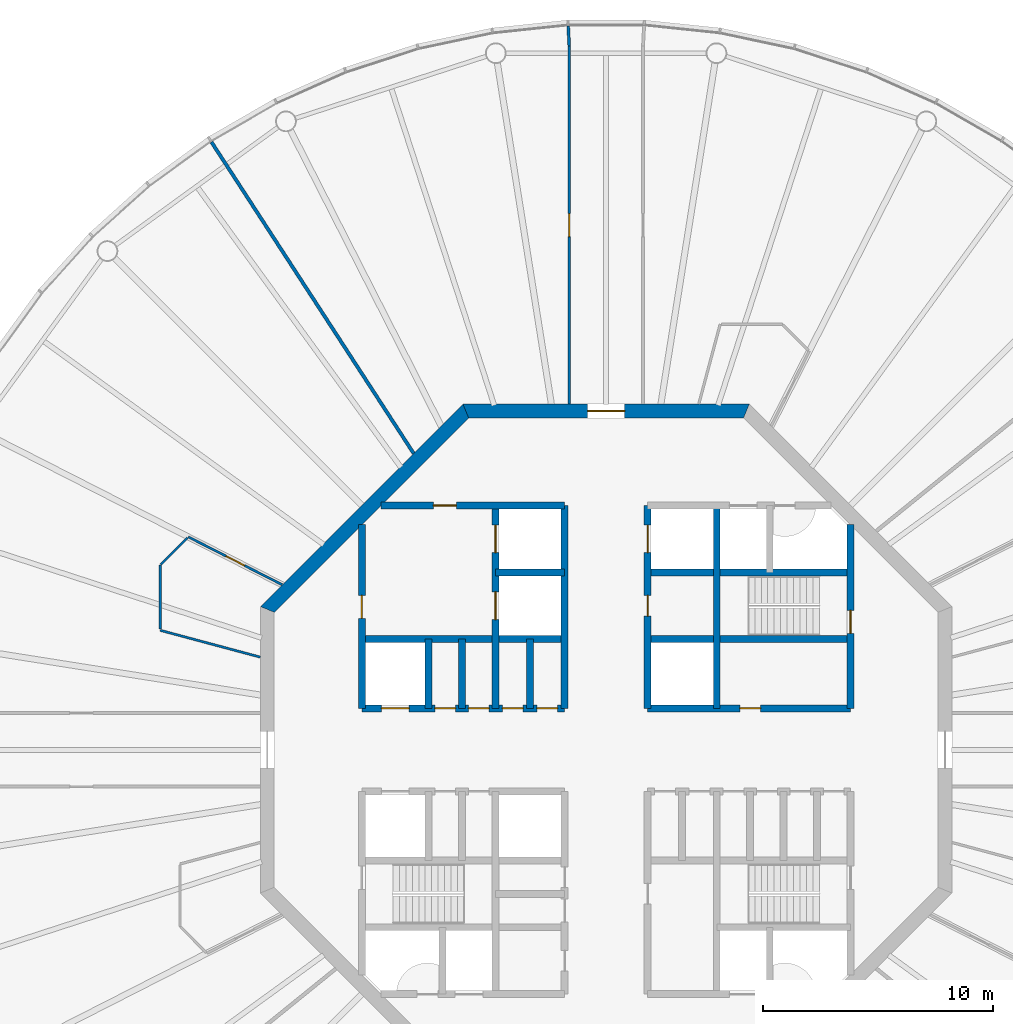
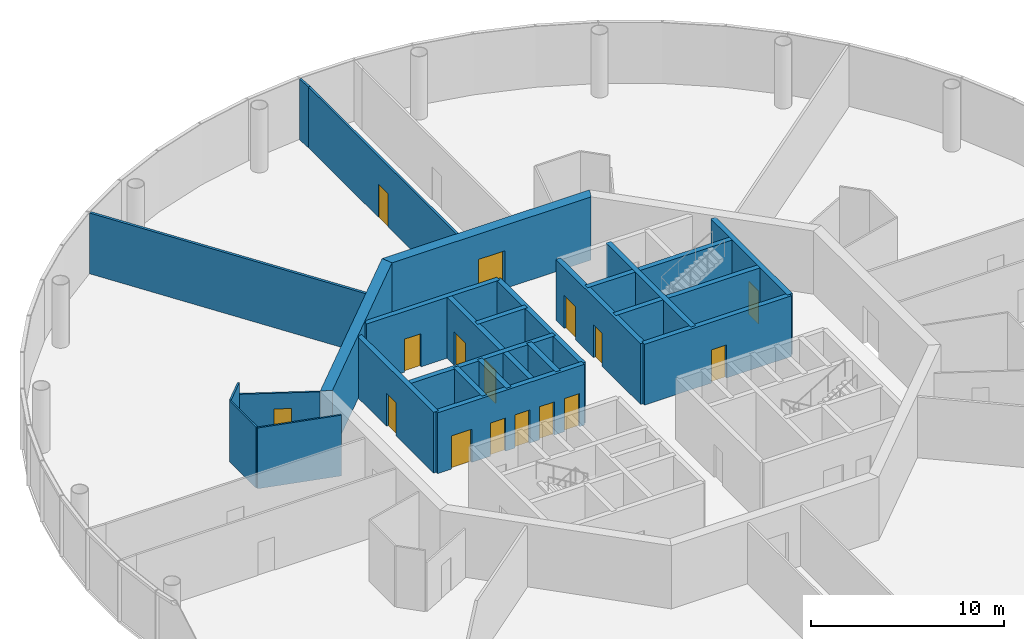
# One storey, part 5 of 13: 25 walls, 16 doors, 16 openings.
"""IFC4 building model written with IfcOpenShell, lengths in metres."""

from ifc_helpers import new_model, si_unit, direction, frame, frame_2d, origin, place, context, subcontext, project, spatial, polyline, rectangle, outline, extrude, material, layer, layer_set, type_object, element, fill, save


model = new_model("IFC4")

# Units and contexts
model_context = context("Model", 3, precision=1e-05, world=origin(), true_north=direction((0.0, 1.0)))
body_context = subcontext(model_context, "Body", "Model", "MODEL_VIEW")
ifc_project = project(units=[si_unit("LENGTHUNIT", "METRE"), si_unit("AREAUNIT", "SQUARE_METRE"), si_unit("VOLUMEUNIT", "CUBIC_METRE"), si_unit("PLANEANGLEUNIT", "RADIAN"), si_unit("MASSUNIT", "GRAM", prefix="KILO")], contexts=[model_context])

# Site, building, storey
site_placement = place(None, origin())
site = spatial("IfcSite", under=ifc_project, at=site_placement, CompositionType="ELEMENT")
building_placement = place(site_placement, origin())
building = spatial("IfcBuilding", under=site, at=building_placement, Name="Entoto Ring Tower", CompositionType="ELEMENT")
storey_placement = place(building_placement, frame((0.0, 0.0, 340.0)))
storey = spatial("IfcBuildingStorey", under=building, at=storey_placement, Name="L78", CompositionType="ELEMENT", Elevation=340.0)

# Wall, opening, door
ifc_material_1 = material(Name="Concrete C40/50", Category="concrete")
ifc_layer_1 = layer(ifc_material_1, 0.300048828125)
ifc_layer_set_1 = layer_set([ifc_layer_1], Name="Concrete C40/50")
wall_type_1 = type_object("IfcWallType", Name="Core enclosure wall 300 mm reinforced concrete", PredefinedType="SOLIDWALL", material=ifc_layer_set_1)
wall_1_placement = place(storey_placement, frame((100.60009765625, 81.800048828125, 0.0), z_axis=(0.0, 0.0, 1.0), x_axis=(0.0, 1.0, 0.0)))
wall_1 = element("IfcWall", 1, at=wall_1_placement, inside=storey, type_object=wall_type_1, Name="wall-L78-002", PredefinedType="SOLIDWALL", context=body_context, shape_type="SweptSolid", body=[
    extrude(rectangle(XDim=7.964599609375, YDim=0.300048828125, at=frame_2d((3.982421875, 0.0))), origin(), (0.0, 0.0, 1.0), 3.85009765625),
])
opening_1_placement = place(wall_1_placement, frame((3.25, 0.0, 0.0)))
opening_1 = element("IfcOpeningElement", 2, at=opening_1_placement, cuts=wall_1, Name="Opening K-29", PredefinedType="OPENING", context=body_context, shape_type="SweptSolid", body=[
    extrude(rectangle(XDim=1.0, YDim=2.10009765625, at=frame_2d((0.5, 1.050048828125))), frame((0.0, 0.16015625, 0.0), z_axis=(0.0, -1.0, 0.0), x_axis=(1.0, 0.0, 0.0)), (0.0, 0.0, 1.0), 0.320068359375),
])
ifc_material_2 = material(Name="Steel door leaf, fire rated", Category="steel")
ifc_layer_2 = layer(ifc_material_2, 0.050048828125)
ifc_layer_set_2 = layer_set([ifc_layer_2], Name="Steel door leaf, fire rated")
door_type_1 = type_object("IfcDoorType", Name="Fire door FD60 1000 x 2100 single leaf", OperationType="NOTDEFINED", PredefinedType="DOOR", material=ifc_layer_set_2)
door_1_placement = place(opening_1_placement, origin())
door_1 = element("IfcDoor", 3, at=door_1_placement, inside=storey, type_object=door_type_1, Name="Door K-29", OperationType="SINGLE_SWING_LEFT", OverallHeight=2.10009765625, OverallWidth=1.0, PredefinedType="DOOR", context=body_context, shape_type="SweptSolid", body=[
    extrude(rectangle(XDim=1.0, YDim=2.10009765625, at=frame_2d((0.5, 1.050048828125))), frame((0.0, 0.02490234375, 0.0), z_axis=(0.0, -1.0, 0.0), x_axis=(1.0, 0.0, 0.0)), (0.0, 0.0, 1.0), 0.050048828125),
])
fill(opening_1, door_1)

# Wall
wall_2_placement = place(storey_placement, frame((94.800048828125, 81.800048828125, 0.0), z_axis=(0.0, 0.0, 1.0), x_axis=(0.0, 1.0, 0.0)))
element("IfcWall", 4, at=wall_2_placement, inside=storey, type_object=wall_type_1, Name="wall-L78-009", PredefinedType="SOLIDWALL", context=body_context, shape_type="SweptSolid", body=[
    extrude(rectangle(XDim=8.800048828125, YDim=0.300048828125, at=frame_2d((4.39990234375, 0.0))), origin(), (0.0, 0.0, 1.0), 3.85009765625),
])

# Wall, openings, doors
wall_3_placement = place(storey_placement, frame((91.800048828125, 81.800048828125, 0.0), z_axis=(0.0, 0.0, 1.0), x_axis=(0.0, 1.0, 0.0)))
wall_3 = element("IfcWall", 5, at=wall_3_placement, inside=storey, type_object=wall_type_1, Name="wall-L78-012", PredefinedType="SOLIDWALL", context=body_context, shape_type="SweptSolid", body=[
    extrude(rectangle(XDim=8.800048828125, YDim=0.300048828125, at=frame_2d((4.39990234375, 0.0))), origin(), (0.0, 0.0, 1.0), 3.85009765625),
])
opening_2_placement = place(wall_3_placement, frame((6.75, 0.0, 0.0)))
opening_2 = element("IfcOpeningElement", 6, at=opening_2_placement, cuts=wall_3, Name="Opening LD", PredefinedType="OPENING", context=body_context, shape_type="SweptSolid", body=[
    extrude(rectangle(XDim=1.199951171875, YDim=2.10009765625, at=frame_2d((0.60009765625, 1.050048828125))), frame((0.0, 0.16015625, 0.0), z_axis=(0.0, -1.0, 0.0), x_axis=(1.0, 0.0, 0.0)), (0.0, 0.0, 1.0), 0.320068359375),
])
opening_3_placement = place(wall_3_placement, frame((4.0, 0.0, 0.0)))
opening_3 = element("IfcOpeningElement", 7, at=opening_3_placement, cuts=wall_3, Name="Opening K-63", PredefinedType="OPENING", context=body_context, shape_type="SweptSolid", body=[
    extrude(rectangle(XDim=0.89990234375, YDim=2.10009765625, at=frame_2d((0.449951171875, 1.050048828125))), frame((0.0, 0.16015625, 0.0), z_axis=(0.0, -1.0, 0.0), x_axis=(1.0, 0.0, 0.0)), (0.0, 0.0, 1.0), 0.320068359375),
])
ifc_material_3 = material(Name="Steel door leaf, fire rated", Category="steel")
ifc_layer_3 = layer(ifc_material_3, 0.050048828125)
ifc_layer_set_3 = layer_set([ifc_layer_3], Name="Steel door leaf, fire rated")
door_type_2 = type_object("IfcDoorType", Name="Core door 900 x 2100 single leaf", OperationType="NOTDEFINED", PredefinedType="DOOR", material=ifc_layer_set_3)
door_2_placement = place(opening_3_placement, frame((0.89990234375, 0.0, 0.0), z_axis=(0.0, 0.0, 1.0), x_axis=(-1.0, 0.0, 0.0)))
door_2 = element("IfcDoor", 8, at=door_2_placement, inside=storey, type_object=door_type_2, Name="Door K-63", OperationType="SINGLE_SWING_RIGHT", OverallHeight=2.10009765625, OverallWidth=0.89990234375, PredefinedType="DOOR", context=body_context, shape_type="SweptSolid", body=[
    extrude(rectangle(XDim=0.89990234375, YDim=2.10009765625, at=frame_2d((0.449951171875, 1.050048828125))), frame((0.0, 0.02490234375, 0.0), z_axis=(0.0, -1.0, 0.0), x_axis=(1.0, 0.0, 0.0)), (0.0, 0.0, 1.0), 0.050048828125),
])
fill(opening_3, door_2)
ifc_material_4 = material(Name="Steel and glass door leaf", Category="steel")
ifc_layer_4 = layer(ifc_material_4, 0.050048828125)
ifc_layer_set_4 = layer_set([ifc_layer_4], Name="Steel and glass door leaf")
door_type_3 = type_object("IfcDoorType", Name="Landing door 1200 x 2100 sliding", OperationType="DOUBLE_DOOR_SLIDING", PredefinedType="DOOR", material=ifc_layer_set_4)
door_3_placement = place(opening_2_placement, origin())
door_3 = element("IfcDoor", 9, at=door_3_placement, inside=storey, type_object=door_type_3, Name="Landing door SH3", OperationType="SLIDING_TO_RIGHT", OverallHeight=2.10009765625, OverallWidth=1.199951171875, PredefinedType="DOOR", context=body_context, shape_type="SweptSolid", body=[
    extrude(rectangle(XDim=1.199951171875, YDim=2.10009765625, at=frame_2d((0.60009765625, 1.050048828125))), frame((0.0, 0.02490234375, 0.0), z_axis=(0.0, -1.0, 0.0), x_axis=(1.0, 0.0, 0.0)), (0.0, 0.0, 1.0), 0.050048828125),
])
fill(opening_2, door_3)

# Walls
wall_4_placement = place(storey_placement, frame((88.199951171875, 81.800048828125, 0.0), z_axis=(0.0, 0.0, 1.0), x_axis=(0.0, 1.0, 0.0)))
element("IfcWall", 10, at=wall_4_placement, inside=storey, type_object=wall_type_1, Name="wall-L78-014", PredefinedType="SOLIDWALL", context=body_context, shape_type="SweptSolid", body=[
    extrude(rectangle(XDim=8.800048828125, YDim=0.300048828125, at=frame_2d((4.39990234375, 0.0))), origin(), (0.0, 0.0, 1.0), 3.85009765625),
])
wall_5_placement = place(storey_placement, frame((86.699951171875, 81.800048828125, 0.0), z_axis=(0.0, 0.0, 1.0), x_axis=(0.0, 1.0, 0.0)))
element("IfcWall", 11, at=wall_5_placement, inside=storey, type_object=wall_type_1, Name="wall-L78-015", PredefinedType="SOLIDWALL", context=body_context, shape_type="SweptSolid", body=[
    extrude(rectangle(XDim=3.0, YDim=0.300048828125, at=frame_2d((1.5, 0.0))), origin(), (0.0, 0.0, 1.0), 3.85009765625),
])

# Wall, openings, doors
wall_6_placement = place(storey_placement, frame((85.199951171875, 81.800048828125, 0.0), z_axis=(0.0, 0.0, 1.0), x_axis=(0.0, 1.0, 0.0)))
wall_6 = element("IfcWall", 12, at=wall_6_placement, inside=storey, type_object=wall_type_1, Name="wall-L78-017", PredefinedType="SOLIDWALL", context=body_context, shape_type="SweptSolid", body=[
    extrude(rectangle(XDim=8.800048828125, YDim=0.300048828125, at=frame_2d((4.39990234375, 0.0))), origin(), (0.0, 0.0, 1.0), 3.85009765625),
])
opening_4_placement = place(wall_6_placement, frame((3.85009765625, 0.0, 0.0)))
opening_4 = element("IfcOpeningElement", 13, at=opening_4_placement, cuts=wall_6, Name="Opening LD", PredefinedType="OPENING", context=body_context, shape_type="SweptSolid", body=[
    extrude(rectangle(XDim=1.199951171875, YDim=2.10009765625, at=frame_2d((0.60009765625, 1.050048828125))), frame((0.0, 0.16015625, 0.0), z_axis=(0.0, -1.0, 0.0), x_axis=(1.0, 0.0, 0.0)), (0.0, 0.0, 1.0), 0.320068359375),
])
opening_5_placement = place(wall_6_placement, frame((6.75, 0.0, 0.0)))
opening_5 = element("IfcOpeningElement", 14, at=opening_5_placement, cuts=wall_6, Name="Opening LD", PredefinedType="OPENING", context=body_context, shape_type="SweptSolid", body=[
    extrude(rectangle(XDim=1.199951171875, YDim=2.10009765625, at=frame_2d((0.60009765625, 1.050048828125))), frame((0.0, 0.16015625, 0.0), z_axis=(0.0, -1.0, 0.0), x_axis=(1.0, 0.0, 0.0)), (0.0, 0.0, 1.0), 0.320068359375),
])
door_4_placement = place(opening_4_placement, origin())
door_4 = element("IfcDoor", 15, at=door_4_placement, inside=storey, type_object=door_type_3, Name="Landing door FF1", OperationType="SLIDING_TO_RIGHT", OverallHeight=2.10009765625, OverallWidth=1.199951171875, PredefinedType="DOOR", context=body_context, shape_type="SweptSolid", body=[
    extrude(rectangle(XDim=1.199951171875, YDim=2.10009765625, at=frame_2d((0.60009765625, 1.050048828125))), frame((0.0, 0.02490234375, 0.0), z_axis=(0.0, -1.0, 0.0), x_axis=(1.0, 0.0, 0.0)), (0.0, 0.0, 1.0), 0.050048828125),
])
fill(opening_4, door_4)
door_5_placement = place(opening_5_placement, origin())
door_5 = element("IfcDoor", 16, at=door_5_placement, inside=storey, type_object=door_type_3, Name="Landing door FF2", OperationType="SLIDING_TO_RIGHT", OverallHeight=2.10009765625, OverallWidth=1.199951171875, PredefinedType="DOOR", context=body_context, shape_type="SweptSolid", body=[
    extrude(rectangle(XDim=1.199951171875, YDim=2.10009765625, at=frame_2d((0.60009765625, 1.050048828125))), frame((0.0, 0.02490234375, 0.0), z_axis=(0.0, -1.0, 0.0), x_axis=(1.0, 0.0, 0.0)), (0.0, 0.0, 1.0), 0.050048828125),
])
fill(opening_5, door_5)

# Walls
for number, where, z_axis, x_axis, name in (
    (17, (83.75, 81.800048828125, 0.0), (0.0, 0.0, 1.0), (0.0, 1.0, 0.0), "wall-L78-019"),
    (18, (82.300048828125, 81.800048828125, 0.0), (0.0, 0.0, 1.0), (0.0, 1.0, 0.0), "wall-L78-022"),
):
    element("IfcWall", number, at=place(storey_placement, frame(where, z_axis=z_axis, x_axis=x_axis)), inside=storey, type_object=wall_type_1, Name=name, PredefinedType="SOLIDWALL", context=body_context, shape_type="SweptSolid", body=[
        extrude(rectangle(XDim=3.0, YDim=0.300048828125, at=frame_2d((1.5, 0.0))), origin(), (0.0, 0.0, 1.0), 3.85009765625),
    ])

# Wall, opening, door
wall_7_placement = place(storey_placement, frame((79.39990234375, 81.800048828125, 0.0), z_axis=(0.0, 0.0, 1.0), x_axis=(0.0, 1.0, 0.0)))
wall_7 = element("IfcWall", 19, at=wall_7_placement, inside=storey, type_object=wall_type_1, Name="wall-L78-024", PredefinedType="SOLIDWALL", context=body_context, shape_type="SweptSolid", body=[
    extrude(rectangle(XDim=7.964599609375, YDim=0.300048828125, at=frame_2d((3.982421875, 0.0))), origin(), (0.0, 0.0, 1.0), 3.85009765625),
])
opening_6_placement = place(wall_7_placement, frame((3.89990234375, 0.0, 0.0)))
opening_6 = element("IfcOpeningElement", 20, at=opening_6_placement, cuts=wall_7, Name="Opening K-35", PredefinedType="OPENING", context=body_context, shape_type="SweptSolid", body=[
    extrude(rectangle(XDim=1.0, YDim=2.10009765625, at=frame_2d((0.5, 1.050048828125))), frame((0.0, 0.16015625, 0.0), z_axis=(0.0, -1.0, 0.0), x_axis=(1.0, 0.0, 0.0)), (0.0, 0.0, 1.0), 0.320068359375),
])
door_6_placement = place(opening_6_placement, frame((1.0, 0.0, 0.0), z_axis=(0.0, 0.0, 1.0), x_axis=(-1.0, 0.0, 0.0)))
door_6 = element("IfcDoor", 21, at=door_6_placement, inside=storey, type_object=door_type_1, Name="Door K-35", OperationType="SINGLE_SWING_RIGHT", OverallHeight=2.10009765625, OverallWidth=1.0, PredefinedType="DOOR", context=body_context, shape_type="SweptSolid", body=[
    extrude(rectangle(XDim=1.0, YDim=2.10009765625, at=frame_2d((0.5, 1.050048828125))), frame((0.0, 0.02490234375, 0.0), z_axis=(0.0, -1.0, 0.0), x_axis=(1.0, 0.0, 0.0)), (0.0, 0.0, 1.0), 0.050048828125),
])
fill(opening_6, door_6)

# Wall, openings, doors
wall_8_placement = place(storey_placement, frame((79.39990234375, 81.800048828125, 0.0), z_axis=(0.0, 0.0, 1.0), x_axis=(1.0, 0.0, 0.0)))
wall_8 = element("IfcWall", 22, at=wall_8_placement, inside=storey, type_object=wall_type_1, Name="wall-L78-034", PredefinedType="SOLIDWALL", context=body_context, shape_type="SweptSolid", body=[
    extrude(rectangle(XDim=8.800048828125, YDim=0.300048828125, at=frame_2d((4.39990234375, 0.0))), origin(), (0.0, 0.0, 1.0), 3.85009765625),
])
opening_7_placement = place(wall_8_placement, frame((0.85009765625, 0.0, 0.0)))
opening_7 = element("IfcOpeningElement", 23, at=opening_7_placement, cuts=wall_8, Name="Opening LD", PredefinedType="OPENING", context=body_context, shape_type="SweptSolid", body=[
    extrude(rectangle(XDim=1.199951171875, YDim=2.10009765625, at=frame_2d((0.60009765625, 1.050048828125))), frame((0.0, 0.16015625, 0.0), z_axis=(0.0, -1.0, 0.0), x_axis=(1.0, 0.0, 0.0)), (0.0, 0.0, 1.0), 0.320068359375),
])
opening_8_placement = place(wall_8_placement, frame((3.175048828125, 0.0, 0.0)))
opening_8 = element("IfcOpeningElement", 24, at=opening_8_placement, cuts=wall_8, Name="Opening K-12", PredefinedType="OPENING", context=body_context, shape_type="SweptSolid", body=[
    extrude(rectangle(XDim=0.89990234375, YDim=2.10009765625, at=frame_2d((0.449951171875, 1.050048828125))), frame((0.0, 0.16015625, 0.0), z_axis=(0.0, -1.0, 0.0), x_axis=(1.0, 0.0, 0.0)), (0.0, 0.0, 1.0), 0.320068359375),
])
opening_9_placement = place(wall_8_placement, frame((4.625, 0.0, 0.0)))
opening_9 = element("IfcOpeningElement", 25, at=opening_9_placement, cuts=wall_8, Name="Opening K-46", PredefinedType="OPENING", context=body_context, shape_type="SweptSolid", body=[
    extrude(rectangle(XDim=0.89990234375, YDim=2.10009765625, at=frame_2d((0.449951171875, 1.050048828125))), frame((0.0, 0.16015625, 0.0), z_axis=(0.0, -1.0, 0.0), x_axis=(1.0, 0.0, 0.0)), (0.0, 0.0, 1.0), 0.320068359375),
])
opening_10_placement = place(wall_8_placement, frame((6.10009765625, 0.0, 0.0)))
opening_10 = element("IfcOpeningElement", 26, at=opening_10_placement, cuts=wall_8, Name="Opening K-25", PredefinedType="OPENING", context=body_context, shape_type="SweptSolid", body=[
    extrude(rectangle(XDim=0.89990234375, YDim=2.10009765625, at=frame_2d((0.449951171875, 1.050048828125))), frame((0.0, 0.16015625, 0.0), z_axis=(0.0, -1.0, 0.0), x_axis=(1.0, 0.0, 0.0)), (0.0, 0.0, 1.0), 0.320068359375),
])
opening_11_placement = place(wall_8_placement, frame((7.60009765625, 0.0, 0.0)))
opening_11 = element("IfcOpeningElement", 27, at=opening_11_placement, cuts=wall_8, Name="Opening K-77", PredefinedType="OPENING", context=body_context, shape_type="SweptSolid", body=[
    extrude(rectangle(XDim=0.89990234375, YDim=2.10009765625, at=frame_2d((0.449951171875, 1.050048828125))), frame((0.0, 0.16015625, 0.0), z_axis=(0.0, -1.0, 0.0), x_axis=(1.0, 0.0, 0.0)), (0.0, 0.0, 1.0), 0.320068359375),
])
door_7_placement = place(opening_8_placement, origin())
door_7 = element("IfcDoor", 28, at=door_7_placement, inside=storey, type_object=door_type_2, Name="Door K-12", OperationType="SINGLE_SWING_RIGHT", OverallHeight=2.10009765625, OverallWidth=0.89990234375, PredefinedType="DOOR", context=body_context, shape_type="SweptSolid", body=[
    extrude(rectangle(XDim=0.89990234375, YDim=2.10009765625, at=frame_2d((0.449951171875, 1.050048828125))), frame((0.0, 0.02490234375, 0.0), z_axis=(0.0, -1.0, 0.0), x_axis=(1.0, 0.0, 0.0)), (0.0, 0.0, 1.0), 0.050048828125),
])
fill(opening_8, door_7)
door_8_placement = place(opening_9_placement, origin())
door_8 = element("IfcDoor", 29, at=door_8_placement, inside=storey, type_object=door_type_2, Name="Door K-46", OperationType="SINGLE_SWING_RIGHT", OverallHeight=2.10009765625, OverallWidth=0.89990234375, PredefinedType="DOOR", context=body_context, shape_type="SweptSolid", body=[
    extrude(rectangle(XDim=0.89990234375, YDim=2.10009765625, at=frame_2d((0.449951171875, 1.050048828125))), frame((0.0, 0.02490234375, 0.0), z_axis=(0.0, -1.0, 0.0), x_axis=(1.0, 0.0, 0.0)), (0.0, 0.0, 1.0), 0.050048828125),
])
fill(opening_9, door_8)
door_9_placement = place(opening_10_placement, origin())
door_9 = element("IfcDoor", 30, at=door_9_placement, inside=storey, type_object=door_type_2, Name="Door K-25", OperationType="SINGLE_SWING_LEFT", OverallHeight=2.10009765625, OverallWidth=0.89990234375, PredefinedType="DOOR", context=body_context, shape_type="SweptSolid", body=[
    extrude(rectangle(XDim=0.89990234375, YDim=2.10009765625, at=frame_2d((0.449951171875, 1.050048828125))), frame((0.0, 0.02490234375, 0.0), z_axis=(0.0, -1.0, 0.0), x_axis=(1.0, 0.0, 0.0)), (0.0, 0.0, 1.0), 0.050048828125),
])
fill(opening_10, door_9)
door_10_placement = place(opening_11_placement, origin())
door_10 = element("IfcDoor", 31, at=door_10_placement, inside=storey, type_object=door_type_2, Name="Door K-77", OperationType="SINGLE_SWING_LEFT", OverallHeight=2.10009765625, OverallWidth=0.89990234375, PredefinedType="DOOR", context=body_context, shape_type="SweptSolid", body=[
    extrude(rectangle(XDim=0.89990234375, YDim=2.10009765625, at=frame_2d((0.449951171875, 1.050048828125))), frame((0.0, 0.02490234375, 0.0), z_axis=(0.0, -1.0, 0.0), x_axis=(1.0, 0.0, 0.0)), (0.0, 0.0, 1.0), 0.050048828125),
])
fill(opening_11, door_10)
door_11_placement = place(opening_7_placement, origin())
door_11 = element("IfcDoor", 32, at=door_11_placement, inside=storey, type_object=door_type_3, Name="Landing door SH1", OperationType="SLIDING_TO_RIGHT", OverallHeight=2.10009765625, OverallWidth=1.199951171875, PredefinedType="DOOR", context=body_context, shape_type="SweptSolid", body=[
    extrude(rectangle(XDim=1.199951171875, YDim=2.10009765625, at=frame_2d((0.60009765625, 1.050048828125))), frame((0.0, 0.02490234375, 0.0), z_axis=(0.0, -1.0, 0.0), x_axis=(1.0, 0.0, 0.0)), (0.0, 0.0, 1.0), 0.050048828125),
])
fill(opening_7, door_11)

# Wall, opening, door
wall_9_placement = place(storey_placement, frame((91.800048828125, 81.800048828125, 0.0), z_axis=(0.0, 0.0, 1.0), x_axis=(1.0, 0.0, 0.0)))
wall_9 = element("IfcWall", 33, at=wall_9_placement, inside=storey, type_object=wall_type_1, Name="wall-L78-035", PredefinedType="SOLIDWALL", context=body_context, shape_type="SweptSolid", body=[
    extrude(rectangle(XDim=8.800048828125, YDim=0.300048828125, at=frame_2d((4.39990234375, 0.0))), origin(), (0.0, 0.0, 1.0), 3.85009765625),
])
opening_12_placement = place(wall_9_placement, frame((4.0, 0.0, 0.0)))
opening_12 = element("IfcOpeningElement", 34, at=opening_12_placement, cuts=wall_9, Name="Opening K-11", PredefinedType="OPENING", context=body_context, shape_type="SweptSolid", body=[
    extrude(rectangle(XDim=0.89990234375, YDim=2.10009765625, at=frame_2d((0.449951171875, 1.050048828125))), frame((0.0, 0.16015625, 0.0), z_axis=(0.0, -1.0, 0.0), x_axis=(1.0, 0.0, 0.0)), (0.0, 0.0, 1.0), 0.320068359375),
])
door_12_placement = place(opening_12_placement, origin())
door_12 = element("IfcDoor", 35, at=door_12_placement, inside=storey, type_object=door_type_2, Name="Door K-11", OperationType="SINGLE_SWING_LEFT", OverallHeight=2.10009765625, OverallWidth=0.89990234375, PredefinedType="DOOR", context=body_context, shape_type="SweptSolid", body=[
    extrude(rectangle(XDim=0.89990234375, YDim=2.10009765625, at=frame_2d((0.449951171875, 1.050048828125))), frame((0.0, 0.02490234375, 0.0), z_axis=(0.0, -1.0, 0.0), x_axis=(1.0, 0.0, 0.0)), (0.0, 0.0, 1.0), 0.050048828125),
])
fill(opening_12, door_12)

# Walls
for number, where, z_axis, x_axis, name in (
    (36, (79.39990234375, 84.800048828125, 0.0), (0.0, 0.0, 1.0), (1.0, 0.0, 0.0), "wall-L78-036"),
    (37, (91.800048828125, 84.800048828125, 0.0), (0.0, 0.0, 1.0), (1.0, 0.0, 0.0), "wall-L78-037"),
):
    element("IfcWall", number, at=place(storey_placement, frame(where, z_axis=z_axis, x_axis=x_axis)), inside=storey, type_object=wall_type_1, Name=name, PredefinedType="SOLIDWALL", context=body_context, shape_type="SweptSolid", body=[
        extrude(rectangle(XDim=8.800048828125, YDim=0.300048828125, at=frame_2d((4.39990234375, 0.0))), origin(), (0.0, 0.0, 1.0), 3.85009765625),
    ])
wall_10_placement = place(storey_placement, frame((85.199951171875, 87.699951171875, 0.0), z_axis=(0.0, 0.0, 1.0), x_axis=(1.0, 0.0, 0.0)))
element("IfcWall", 38, at=wall_10_placement, inside=storey, type_object=wall_type_1, Name="wall-L78-038", PredefinedType="SOLIDWALL", context=body_context, shape_type="SweptSolid", body=[
    extrude(rectangle(XDim=3.0, YDim=0.300048828125, at=frame_2d((1.5, 0.0))), origin(), (0.0, 0.0, 1.0), 3.85009765625),
])
wall_11_placement = place(storey_placement, frame((91.800048828125, 87.699951171875, 0.0), z_axis=(0.0, 0.0, 1.0), x_axis=(1.0, 0.0, 0.0)))
element("IfcWall", 39, at=wall_11_placement, inside=storey, type_object=wall_type_1, Name="wall-L78-039", PredefinedType="SOLIDWALL", context=body_context, shape_type="SweptSolid", body=[
    extrude(rectangle(XDim=8.800048828125, YDim=0.300048828125, at=frame_2d((4.39990234375, 0.0))), origin(), (0.0, 0.0, 1.0), 3.85009765625),
])

# Wall, opening, door
wall_12_placement = place(storey_placement, frame((80.2353515625, 90.60009765625, 0.0), z_axis=(0.0, 0.0, 1.0), x_axis=(1.0, 0.0, 0.0)))
wall_12 = element("IfcWall", 40, at=wall_12_placement, inside=storey, type_object=wall_type_1, Name="wall-L78-040", PredefinedType="SOLIDWALL", context=body_context, shape_type="SweptSolid", body=[
    extrude(rectangle(XDim=7.964599609375, YDim=0.300048828125, at=frame_2d((3.982421875, 0.0))), origin(), (0.0, 0.0, 1.0), 3.85009765625),
])
opening_13_placement = place(wall_12_placement, frame((2.2646484375, 0.0, 0.0)))
opening_13 = element("IfcOpeningElement", 41, at=opening_13_placement, cuts=wall_12, Name="Opening K-36", PredefinedType="OPENING", context=body_context, shape_type="SweptSolid", body=[
    extrude(rectangle(XDim=1.0, YDim=2.10009765625, at=frame_2d((0.5, 1.050048828125))), frame((0.0, 0.16015625, 0.0), z_axis=(0.0, -1.0, 0.0), x_axis=(1.0, 0.0, 0.0)), (0.0, 0.0, 1.0), 0.320068359375),
])
door_13_placement = place(opening_13_placement, frame((1.0, 0.0, 0.0), z_axis=(0.0, 0.0, 1.0), x_axis=(-1.0, 0.0, 0.0)))
door_13 = element("IfcDoor", 42, at=door_13_placement, inside=storey, type_object=door_type_1, Name="Door K-36", OperationType="SINGLE_SWING_LEFT", OverallHeight=2.10009765625, OverallWidth=1.0, PredefinedType="DOOR", context=body_context, shape_type="SweptSolid", body=[
    extrude(rectangle(XDim=1.0, YDim=2.10009765625, at=frame_2d((0.5, 1.050048828125))), frame((0.0, 0.02490234375, 0.0), z_axis=(0.0, -1.0, 0.0), x_axis=(1.0, 0.0, 0.0)), (0.0, 0.0, 1.0), 0.050048828125),
])
fill(opening_13, door_13)

ifc_material_5 = material(Name="Concrete C40/50", Category="concrete")
ifc_layer_5 = layer(ifc_material_5, 0.60009765625)
ifc_layer_set_5 = layer_set([ifc_layer_5], Name="Concrete C40/50")
wall_type_2 = type_object("IfcWallType", Name="Core shear wall 600 mm reinforced concrete C40/50", PredefinedType="SHEAR", material=ifc_layer_set_5)
wall_13_placement = place(storey_placement, frame((96.0888671875, 94.699951171875, 0.0), z_axis=(0.0, 0.0, 1.0), x_axis=(-1.0, 0.0, 0.0)))
wall_13 = element("IfcWall", 43, at=wall_13_placement, inside=storey, type_object=wall_type_2, Name="wall-L78-core-2", PredefinedType="SHEAR", context=body_context, shape_type="SweptSolid", body=[
    extrude(outline(polyline([(-0.124267578125, -0.300048828125), (12.302001953125, -0.300048828125), (12.053466796875, 0.300048828125), (0.124267578125, 0.300048828125), (-0.124267578125, -0.300048828125)])), origin(), (0.0, 0.0, 1.0), 4.0),
])
opening_14_placement = place(wall_13_placement, frame((5.288818359375, 0.0, 0.0)))
opening_14 = element("IfcOpeningElement", 44, at=opening_14_placement, cuts=wall_13, Name="Opening K-02", PredefinedType="OPENING", context=body_context, shape_type="SweptSolid", body=[
    extrude(rectangle(XDim=1.60009765625, YDim=2.39990234375, at=frame_2d((0.800048828125, 1.199951171875))), frame((0.0, 0.31005859375, 0.0), z_axis=(0.0, -1.0, 0.0), x_axis=(1.0, 0.0, 0.0)), (0.0, 0.0, 1.0), 0.6201171875),
])
ifc_material_6 = material(Name="Steel door leaf, fire rated", Category="steel")
ifc_layer_6 = layer(ifc_material_6, 0.050048828125)
ifc_layer_set_6 = layer_set([ifc_layer_6], Name="Steel door leaf, fire rated")
door_type_4 = type_object("IfcDoorType", Name="Entrance door FD60 1600 x 2400 double leaf", OperationType="DOUBLE_DOOR_SINGLE_SWING", PredefinedType="DOOR", material=ifc_layer_set_6)
door_14_placement = place(opening_14_placement, origin())
door_14 = element("IfcDoor", 45, at=door_14_placement, inside=storey, type_object=door_type_4, Name="Entrance door K-02", OperationType="DOUBLE_DOOR_SINGLE_SWING", OverallHeight=2.39990234375, OverallWidth=1.60009765625, PredefinedType="DOOR", context=body_context, shape_type="SweptSolid", body=[
    extrude(rectangle(XDim=1.60009765625, YDim=2.39990234375, at=frame_2d((0.800048828125, 1.199951171875))), frame((0.0, 0.02490234375, 0.0), z_axis=(0.0, -1.0, 0.0), x_axis=(1.0, 0.0, 0.0)), (0.0, 0.0, 1.0), 0.050048828125),
])
fill(opening_14, door_14)

# Wall
wall_14_placement = place(storey_placement, frame((83.9111328125, 94.699951171875, 0.0), z_axis=(0.0, 0.0, 1.0), x_axis=(-0.707106781187, -0.707106781187, 0.0)))
element("IfcWall", 46, at=wall_14_placement, inside=storey, type_object=wall_type_2, Name="wall-L78-core-3", PredefinedType="SHEAR", context=body_context, shape_type="SweptSolid", body=[
    extrude(outline(polyline([(-0.124267578125, -0.300048828125), (12.30224609375, -0.300048828125), (12.0537109375, 0.300048828125), (0.124267578125, 0.300048828125), (-0.124267578125, -0.300048828125)])), origin(), (0.0, 0.0, 1.0), 4.0),
])

# Wall, opening, door
ifc_material_7 = material(Name="Fire-resisting plasterboard on steel studs", Category="steel")
ifc_layer_7 = layer(ifc_material_7, 0.125)
ifc_layer_set_7 = layer_set([ifc_layer_7], Name="Fire-resisting plasterboard on steel studs")
wall_type_3 = type_object("IfcWallType", Name="Corridor wall 125 mm one-hour plasterboard on steel studs", PredefinedType="PARTITIONING", material=ifc_layer_set_7)
wall_15_placement = place(storey_placement, frame((88.39990234375, 95.0, 0.0), z_axis=(0.0, 0.0, 1.0), x_axis=(0.0, 1.0, 0.0)))
wall_15 = element("IfcWall", 47, at=wall_15_placement, inside=storey, type_object=wall_type_3, Name="partition-L78-004", PredefinedType="PARTITIONING", context=body_context, shape_type="SweptSolid", body=[
    extrude(rectangle(XDim=15.52978515625, YDim=0.125, at=frame_2d((7.764892578125, 0.0))), origin(), (0.0, 0.0, 1.0), 3.85009765625),
])
opening_15_placement = place(wall_15_placement, frame((7.264892578125, 0.0, 0.0)))
opening_15 = element("IfcOpeningElement", 48, at=opening_15_placement, cuts=wall_15, Name="Opening A34-D05", PredefinedType="OPENING", context=body_context, shape_type="SweptSolid", body=[
    extrude(rectangle(XDim=1.0, YDim=2.10009765625, at=frame_2d((0.5, 1.050048828125))), frame((0.0, 0.072509765625, 0.0), z_axis=(0.0, -1.0, 0.0), x_axis=(1.0, 0.0, 0.0)), (0.0, 0.0, 1.0), 0.14501953125),
])
ifc_material_8 = material(Name="Fire-resisting timber door set", Category="wood")
door_type_5 = type_object("IfcDoorType", Name="Door 1000 x 2100 single leaf FD30S fire door", OperationType="NOTDEFINED", PredefinedType="DOOR", material=ifc_material_8)
door_15_placement = place(opening_15_placement, origin())
door_15 = element("IfcDoor", 49, at=door_15_placement, inside=storey, type_object=door_type_5, Name="Door A34-D05", OperationType="SINGLE_SWING_LEFT", OverallHeight=2.10009765625, OverallWidth=1.0, PredefinedType="DOOR", context=body_context, shape_type="SweptSolid", body=[
    extrude(rectangle(XDim=1.0, YDim=2.10009765625, at=frame_2d((0.5, 1.050048828125))), frame((0.0, 0.02490234375, 0.0), z_axis=(0.0, -1.0, 0.0), x_axis=(1.0, 0.0, 0.0)), (0.0, 0.0, 1.0), 0.050048828125),
])
fill(opening_15, door_15)

# Walls
wall_16_placement = place(storey_placement, frame((88.39990234375, 110.533203125, 0.0), z_axis=(0.0, 0.0, 1.0), x_axis=(-0.052499574911, 0.998620946423, 0.0)))
element("IfcWall", 50, at=wall_16_placement, inside=storey, type_object=wall_type_3, Name="partition-L78-012", PredefinedType="PARTITIONING", context=body_context, shape_type="SweptSolid", body=[
    extrude(rectangle(XDim=0.864990234375, YDim=0.125, at=frame_2d((0.4326171875, 0.0))), origin(), (0.0, 0.0, 1.0), 3.85009765625),
])
ifc_material_9 = material(Name="Plasterboard on steel studs", Category="steel")
ifc_layer_8 = layer(ifc_material_9, 0.10009765625)
ifc_layer_set_8 = layer_set([ifc_layer_8], Name="Plasterboard on steel studs")
wall_type_4 = type_object("IfcWallType", Name="Partition 100 mm plasterboard on steel studs", PredefinedType="PARTITIONING", material=ifc_layer_set_8)
wall_17_placement = place(storey_placement, frame((75.0, 84.019287109375, 0.0), z_axis=(0.0, 0.0, 1.0), x_axis=(-0.965930145555, 0.258802924845, 0.0)))
element("IfcWall", 51, at=wall_17_placement, inside=storey, type_object=wall_type_4, Name="partition-L78-027", PredefinedType="PARTITIONING", context=body_context, shape_type="SweptSolid", body=[
    extrude(rectangle(XDim=4.50341796875, YDim=0.10009765625, at=frame_2d((2.251708984375, 0.0))), origin(), (0.0, 0.0, 1.0), 3.85009765625),
])
wall_18_placement = place(storey_placement, frame((70.64990234375, 85.23291015625, 0.0), z_axis=(0.0, 0.0, 1.0), x_axis=(0.0, 1.0, 0.0)))
element("IfcWall", 52, at=wall_18_placement, inside=storey, type_object=wall_type_4, Name="partition-L78-037", PredefinedType="PARTITIONING", context=body_context, shape_type="SweptSolid", body=[
    extrude(rectangle(XDim=2.781982421875, YDim=0.10009765625, at=frame_2d((1.39111328125, 0.0))), origin(), (0.0, 0.0, 1.0), 3.85009765625),
])
wall_19_placement = place(storey_placement, frame((70.6748046875, 88.039794921875, 0.0), z_axis=(0.0, 0.0, 1.0), x_axis=(0.707032587096, 0.707180967493, 0.0)))
element("IfcWall", 53, at=wall_19_placement, inside=storey, type_object=wall_type_4, Name="partition-L78-043", PredefinedType="PARTITIONING", context=body_context, shape_type="SweptSolid", body=[
    extrude(rectangle(XDim=1.645263671875, YDim=0.10009765625, at=frame_2d((0.82275390625, 0.0))), origin(), (0.0, 0.0, 1.0), 3.85009765625),
])

# Wall, opening, door
ifc_material_10 = material(Name="Plasterboard on steel studs", Category="steel")
ifc_layer_9 = layer(ifc_material_10, 0.10009765625)
ifc_layer_set_9 = layer_set([ifc_layer_9], Name="Plasterboard on steel studs")
wall_type_5 = type_object("IfcWallType", Name="Partition 100 mm plasterboard on steel studs, 3097 mm high", PredefinedType="PARTITIONING", material=ifc_layer_set_9)
wall_20_placement = place(storey_placement, frame((75.947021484375, 87.160400390625, 0.0), z_axis=(0.0, 0.0, 1.0), x_axis=(-0.891006498341, 0.453990550467, 0.0)))
wall_20 = element("IfcWall", 54, at=wall_20_placement, inside=storey, type_object=wall_type_5, Name="partition-L78-026", PredefinedType="PARTITIONING", context=body_context, shape_type="SweptSolid", body=[
    extrude(rectangle(XDim=4.57373046875, YDim=0.10009765625, at=frame_2d((2.286865234375, 0.0))), origin(), (0.0, 0.0, 1.0), 3.096923828125),
])
opening_16_placement = place(wall_20_placement, frame((1.8369140625, 0.0, 0.0)))
opening_16 = element("IfcOpeningElement", 55, at=opening_16_placement, cuts=wall_20, Name="Opening A34-D07", PredefinedType="OPENING", context=body_context, shape_type="SweptSolid", body=[
    extrude(rectangle(XDim=0.89990234375, YDim=2.10009765625, at=frame_2d((0.449951171875, 1.050048828125))), frame((0.0, 0.06005859375, 0.0), z_axis=(0.0, -1.0, 0.0), x_axis=(1.0, 0.0, 0.0)), (0.0, 0.0, 1.0), 0.1201171875),
])
ifc_material_11 = material(Name="Veneered timber door leaf in timber frame", Category="wood")
door_type_6 = type_object("IfcDoorType", Name="Door 900 x 2100 single leaf timber veneer", OperationType="NOTDEFINED", PredefinedType="DOOR", material=ifc_material_11)
door_16_placement = place(opening_16_placement, origin())
door_16 = element("IfcDoor", 56, at=door_16_placement, inside=storey, type_object=door_type_6, Name="Door A34-D07", OperationType="SINGLE_SWING_LEFT", OverallHeight=2.10009765625, OverallWidth=0.89990234375, PredefinedType="DOOR", context=body_context, shape_type="SweptSolid", body=[
    extrude(rectangle(XDim=0.89990234375, YDim=2.10009765625, at=frame_2d((0.449951171875, 1.050048828125))), frame((0.0, 0.02490234375, 0.0), z_axis=(0.0, -1.0, 0.0), x_axis=(1.0, 0.0, 0.0)), (0.0, 0.0, 1.0), 0.050048828125),
])
fill(opening_16, door_16)

# Wall
ifc_material_12 = material(Name="Fire-resisting acoustic plasterboard on steel studs", Category="steel")
ifc_layer_10 = layer(ifc_material_12, 0.14990234375)
ifc_layer_set_10 = layer_set([ifc_layer_10], Name="Fire-resisting acoustic plasterboard on steel studs")
wall_type_6 = type_object("IfcWallType", Name="Party wall 150 mm one-hour acoustic plasterboard on steel studs", PredefinedType="PARTITIONING", material=ifc_layer_set_10)
wall_21_placement = place(storey_placement, frame((81.64794921875, 92.861083984375, 0.0), z_axis=(0.0, 0.0, 1.0), x_axis=(-0.54464089364, 0.838669360937, 0.0)))
element("IfcWall", 57, at=wall_21_placement, inside=storey, type_object=wall_type_6, Name="partition-L78-020", PredefinedType="PARTITIONING", context=body_context, shape_type="SweptSolid", body=[
    extrude(rectangle(XDim=16.10498046875, YDim=0.14990234375, at=frame_2d((8.052490234375, 0.0))), origin(), (0.0, 0.0, 1.0), 3.85009765625),
])

save(model, "model.ifc")
